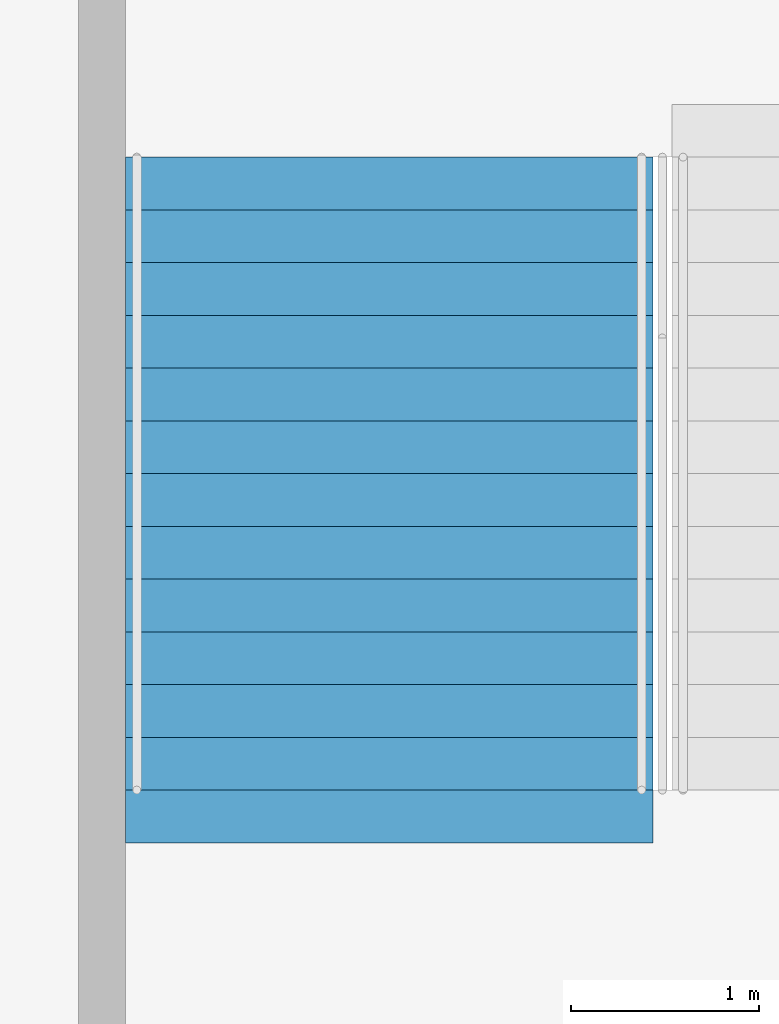
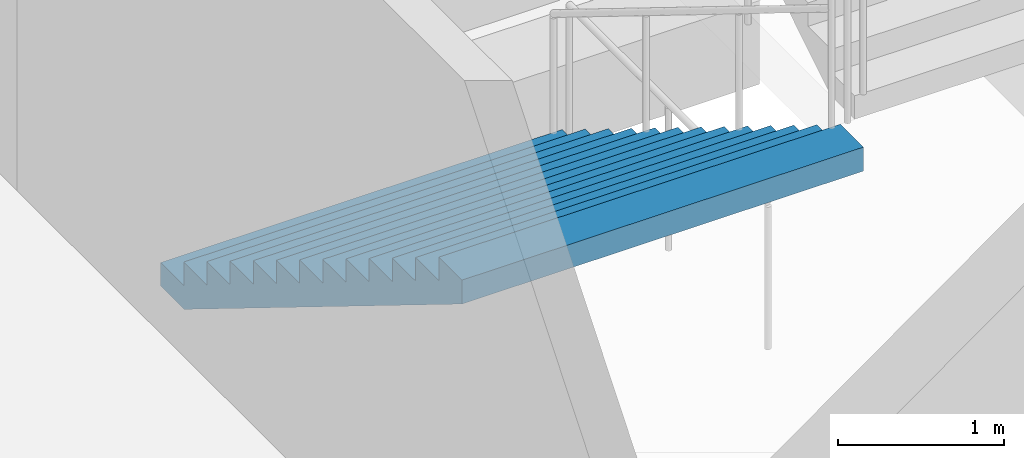
# One storey, part 111 of 199: 1 stair flight, 1 element without a shape of its own.
"""IFC4 building model written with IfcOpenShell, lengths in metres."""

import ifcopenshell
import ifcopenshell.guid

model = None  # the IFC model being written
_history = None  # IfcOwnerHistory: only IFC2X3 demands one
_inside = {}  # id of a spatial element -> (the spatial element, [elements in it])
_under = {}  # id of a project, library or spatial element -> (it, [spatial elements below it])
_declared = {}  # id of a project -> (the project, [libraries it declares])
_typed = {}  # id of a type object -> (the type object, [elements of that type])
_made_of = {}  # id of a material, layer set ... -> (it, [elements and type objects made of it])


def new_model(schema):
    """Start an empty IFC model of exactly this schema.

    Asked for "IFC4X3", IfcOpenShell would pick the latest addendum, in which some entities
    have other attributes; the version numbers below select the first issue.
    IFC2X3 requires an IfcOwnerHistory on every rooted entity: one is made here for all.
    """
    global model, _history
    if schema == "IFC4X3":
        model = ifcopenshell.file(schema_version=(4, 3, 0, 0))
    else:
        model = ifcopenshell.file(schema=schema)
    _inside.clear()
    _under.clear()
    _declared.clear()
    _typed.clear()
    _made_of.clear()
    _history = None
    if model.schema == "IFC2X3":
        org = make("IfcOrganization", Name="unknown")
        user = make(
            "IfcPersonAndOrganization",
            ThePerson=make("IfcPerson", FamilyName="unknown"),
            TheOrganization=org,
        )
        app = make(
            "IfcApplication",
            ApplicationDeveloper=org,
            Version="unknown",
            ApplicationFullName="unknown",
            ApplicationIdentifier="unknown",
        )
        _history = make(
            "IfcOwnerHistory",
            OwningUser=user,
            OwningApplication=app,
            ChangeAction="ADDED",
            CreationDate=0,
        )
    return model


def make(cls, **values):
    """One entity of the class cls with the attributes given. An attribute that is None is left unset."""
    return model.create_entity(
        cls, **{name: value for name, value in values.items() if value is not None}
    )


def rooted(cls, **values):
    """An entity with a GlobalId (a new one), such as an element, a storey or a relation."""
    return make(cls, GlobalId=ifcopenshell.guid.new(), OwnerHistory=_history, **values)


def si_unit(unit_type, name, prefix=None):
    """IfcSIUnit, for example si_unit("LENGTHUNIT", "METRE", prefix="MILLI")."""
    return make("IfcSIUnit", UnitType=unit_type, Prefix=prefix, Name=name)


def assignment(units):
    """IfcUnitAssignment: the units of a project."""
    return None if units is None else make("IfcUnitAssignment", Units=units)


def point(xyz):
    """IfcCartesianPoint."""
    return None if xyz is None else make("IfcCartesianPoint", Coordinates=xyz)


def direction(xyz):
    """IfcDirection."""
    return None if xyz is None else make("IfcDirection", DirectionRatios=xyz)


def frame(location, z_axis=None, x_axis=None):
    """IfcAxis2Placement3D, a coordinate frame: its origin and axes. An axis left out is left unset."""
    return make(
        "IfcAxis2Placement3D",
        Location=point(location),
        Axis=direction(z_axis),
        RefDirection=direction(x_axis),
    )


def origin():
    """The frame at (0, 0, 0) with its axes left unset."""
    return frame((0.0, 0.0, 0.0))


def place(relative_to, where):
    """IfcLocalPlacement: puts the frame where relative to a parent placement (None: the world)."""
    return make(
        "IfcLocalPlacement", PlacementRelTo=relative_to, RelativePlacement=where
    )


def context(
    kind, dimensions, precision=None, world=None, true_north=None, identifier=None
):
    """IfcGeometricRepresentationContext, for example the 3D "Model" context."""
    return make(
        "IfcGeometricRepresentationContext",
        ContextIdentifier=identifier,
        ContextType=kind,
        CoordinateSpaceDimension=dimensions,
        Precision=precision,
        WorldCoordinateSystem=world,
        TrueNorth=true_north,
    )


def subcontext(parent, identifier, kind, view, scale=None):
    """IfcGeometricRepresentationSubContext, for example "Body" below "Model"."""
    return make(
        "IfcGeometricRepresentationSubContext",
        ContextIdentifier=identifier,
        ContextType=kind,
        ParentContext=parent,
        TargetScale=scale,
        TargetView=view,
    )


def project(units=None, contexts=None):
    """IfcProject with its units and contexts."""
    return rooted(
        "IfcProject",
        Name="project",
        RepresentationContexts=contexts,
        UnitsInContext=assignment(units),
    )


def spatial(cls, under=None, at=None, **own):
    """A site, building, storey or space (cls), placed at a placement, below another one or the project."""
    s = rooted(cls, ObjectPlacement=at, **own)
    if under is not None:
        _under.setdefault(under.id(), (under, []))[1].append(s)
    return s


def faces_of(points, faces, orient=None, outer=None):
    """IfcFace entities. A face is a list of loops; a loop is a list of indices into points, from 0.

    orient and outer hold one flag for each loop. By default every Orientation is true, the
    first loop of a face is its IfcFaceOuterBound and the others are IfcFaceBound.
    """
    made = []
    for i, loops in enumerate(faces):
        bounds = []
        for j, loop in enumerate(loops):
            is_outer = j == 0 if outer is None else outer[i][j]
            bounds.append(
                make(
                    "IfcFaceOuterBound" if is_outer else "IfcFaceBound",
                    Bound=make("IfcPolyLoop", Polygon=[points[k] for k in loop]),
                    Orientation=True if orient is None else orient[i][j],
                )
            )
        made.append(make("IfcFace", Bounds=bounds))
    return made


def faceted_brep(points, faces, orient=None, outer=None, voids=None):
    """IfcFacetedBrep: a solid bounded by flat faces; with voids (closed shells), ...WithVoids."""
    shared = [point(p) for p in points]
    hull = make("IfcClosedShell", CfsFaces=faces_of(shared, faces, orient, outer))
    if voids is None:
        return make("IfcFacetedBrep", Outer=hull)
    return make(
        "IfcFacetedBrepWithVoids",
        Outer=hull,
        Voids=[
            make(cls, CfsFaces=faces_of(shared, fs, o, b)) for cls, fs, o, b in voids
        ],
    )


def shape(context_of_items, identifier, shape_type, items):
    """IfcShapeRepresentation: the items that make up one representation, for example the "Body"."""
    return make(
        "IfcShapeRepresentation",
        ContextOfItems=context_of_items,
        RepresentationIdentifier=identifier,
        RepresentationType=shape_type,
        Items=items,
    )


def material(Name=None, Category=None):
    """IfcMaterial."""
    return make("IfcMaterial", Name=Name, Category=Category)


def made_of(thing, what):
    """Note that an element or type object is made of a material, layer set ...; save() writes the relation."""
    if what is not None:
        _made_of.setdefault(what.id(), (what, []))[1].append(thing)
    return thing


def type_object(cls, material=None, **own):
    """A type object (cls), such as IfcWallType, which elements share."""
    return made_of(rooted(cls, **own), material)


def element(
    cls,
    number,
    at=None,
    inside=None,
    cuts=None,
    type_object=None,
    material=None,
    context=None,
    identifier="Body",
    shape_type=None,
    held_by="IfcProductDefinitionShape",
    body=None,
    shapes=None,
    **own,
):
    """One element of the class cls, such as IfcWall. Its Tag is "e" and its number.

    at: its placement. inside: the storey or other place that contains it. cuts: it is an
    opening in that element (IfcRelVoidsElement). A single representation is given by context,
    identifier, shape_type and body (its items); several are given by shapes. held_by: the class
    of the entity that holds the representations. save() writes the other relations.
    """
    e = rooted(cls, Tag="e%d" % number, ObjectPlacement=at, **own)
    if body is not None:
        shapes = [shape(context, identifier, shape_type, body)]
    if shapes is not None:
        e.Representation = make(held_by, Representations=shapes)
    if inside is not None:
        _inside.setdefault(inside.id(), (inside, []))[1].append(e)
    if cuts is not None:
        rooted(
            "IfcRelVoidsElement", RelatingBuildingElement=cuts, RelatedOpeningElement=e
        )
    if type_object is not None:
        _typed.setdefault(type_object.id(), (type_object, []))[1].append(e)
    return made_of(e, material)


def aggregate(whole, parts):
    """IfcRelAggregates: a whole, such as a stair, and the parts it consists of."""
    return rooted("IfcRelAggregates", RelatingObject=whole, RelatedObjects=parts)


def save(model, path):
    """Write the relations noted so far, then the file.

    IfcRelAggregates (storeys below a building ...), IfcRelContainedInSpatialStructure (elements
    in a storey), IfcRelDefinesByType, IfcRelAssociatesMaterial and IfcRelDeclares: one each for
    every whole, place, type object, material and project.
    """
    for whole, parts in _under.values():
        aggregate(whole, parts)
    for where, things in _inside.values():
        rooted(
            "IfcRelContainedInSpatialStructure",
            RelatedElements=things,
            RelatingStructure=where,
        )
    for kind, things in _typed.values():
        rooted("IfcRelDefinesByType", RelatedObjects=things, RelatingType=kind)
    for what, things in _made_of.values():
        rooted("IfcRelAssociatesMaterial", RelatedObjects=things, RelatingMaterial=what)
    for by, libraries in _declared.values():
        rooted("IfcRelDeclares", RelatingContext=by, RelatedDefinitions=libraries)
    model.write(path)


model = new_model("IFC4")

# Units and contexts
model_context = context("Model", 3, precision=1e-05, world=origin(), true_north=direction((0.0, 1.0)))
body_context = subcontext(model_context, "Body", "Model", "MODEL_VIEW")
ifc_project = project(units=[si_unit("LENGTHUNIT", "METRE"), si_unit("AREAUNIT", "SQUARE_METRE"), si_unit("VOLUMEUNIT", "CUBIC_METRE"), si_unit("PLANEANGLEUNIT", "RADIAN"), si_unit("MASSUNIT", "GRAM", prefix="KILO")], contexts=[model_context])

# Site, building, storey
site_placement = place(None, origin())
site = spatial("IfcSite", under=ifc_project, at=site_placement, CompositionType="ELEMENT")
building_placement = place(site_placement, origin())
building = spatial("IfcBuilding", under=site, at=building_placement, Name="Ogive Plaza Stadium", CompositionType="ELEMENT")
storey_placement = place(building_placement, frame((0.0, 0.0, 4.5)))
storey = spatial("IfcBuildingStorey", under=building, at=storey_placement, Name="L01", CompositionType="ELEMENT", Elevation=4.5)

# Stair, stair flight
ifc_material_1 = material(Name="Concrete C40/50", Category="concrete")
stair_type = type_object("IfcStairType", Name="Exit stair", PredefinedType="STRAIGHT_RUN_STAIR", material=ifc_material_1)
stair_placement = place(storey_placement, origin())
stair = element("IfcStair", 1, at=stair_placement, inside=storey, type_object=stair_type, Name="Exit stair ST16A L01 to L02", PredefinedType="STRAIGHT_RUN_STAIR")
ifc_material_2 = material(Name="Concrete C40/50", Category="concrete")
stair_flight_type = type_object("IfcStairFlightType", Name="Exit stair flight", PredefinedType="STRAIGHT", material=ifc_material_2)
stair_flight_placement = place(storey_placement, frame((-24.824951171875, -94.85009765625, 0.0), z_axis=(0.0, 0.0, 1.0), x_axis=(0.0, -1.0, 0.0)))
stair_flight = element("IfcStairFlight", 2, at=stair_flight_placement, type_object=stair_flight_type, Name="ST16A flight 1", NumberOfRisers=13, NumberOfTreads=12, PredefinedType="STRAIGHT", RiserHeight=0.173076923, TreadLength=0.28, context=body_context, shape_type="Brep", body=[
    faceted_brep([(0.28515625, -1.39990234375, 0.0), (3.639892578125, -1.39990234375, 2.07373046875), (3.639892578125, -1.39990234375, 2.25), (3.360107421875, -1.39990234375, 2.25), (3.360107421875, -1.39990234375, 2.076904296875), (3.080078125, -1.39990234375, 2.076904296875), (3.080078125, -1.39990234375, 1.90380859375), (2.800048828125, -1.39990234375, 1.90380859375), (2.800048828125, -1.39990234375, 1.730712890625), (2.52001953125, -1.39990234375, 1.730712890625), (2.52001953125, -1.39990234375, 1.5576171875), (2.239990234375, -1.39990234375, 1.5576171875), (2.239990234375, -1.39990234375, 1.384521484375), (1.9599609375, -1.39990234375, 1.384521484375), (1.9599609375, -1.39990234375, 1.21142578125), (1.679931640625, -1.39990234375, 1.21142578125), (1.679931640625, -1.39990234375, 1.03857421875), (1.39990234375, -1.39990234375, 1.03857421875), (1.39990234375, -1.39990234375, 0.865478515625), (1.1201171875, -1.39990234375, 0.865478515625), (1.1201171875, -1.39990234375, 0.6923828125), (0.840087890625, -1.39990234375, 0.6923828125), (0.840087890625, -1.39990234375, 0.519287109375), (0.56005859375, -1.39990234375, 0.519287109375), (0.56005859375, -1.39990234375, 0.34619140625), (0.280029296875, -1.39990234375, 0.34619140625), (0.280029296875, -1.39990234375, 0.173095703125), (0.0, -1.39990234375, 0.173095703125), (0.0, -1.39990234375, 0.0), (0.0, 1.39990234375, 0.0), (0.0, 1.39990234375, 0.173095703125), (0.280029296875, 1.39990234375, 0.173095703125), (0.280029296875, 1.39990234375, 0.34619140625), (0.56005859375, 1.39990234375, 0.34619140625), (0.56005859375, 1.39990234375, 0.519287109375), (0.840087890625, 1.39990234375, 0.519287109375), (0.840087890625, 1.39990234375, 0.6923828125), (1.1201171875, 1.39990234375, 0.6923828125), (1.1201171875, 1.39990234375, 0.865478515625), (1.39990234375, 1.39990234375, 0.865478515625), (1.39990234375, 1.39990234375, 1.03857421875), (1.679931640625, 1.39990234375, 1.03857421875), (1.679931640625, 1.39990234375, 1.21142578125), (1.9599609375, 1.39990234375, 1.21142578125), (1.9599609375, 1.39990234375, 1.384521484375), (2.239990234375, 1.39990234375, 1.384521484375), (2.239990234375, 1.39990234375, 1.5576171875), (2.52001953125, 1.39990234375, 1.5576171875), (2.52001953125, 1.39990234375, 1.730712890625), (2.800048828125, 1.39990234375, 1.730712890625), (2.800048828125, 1.39990234375, 1.90380859375), (3.080078125, 1.39990234375, 1.90380859375), (3.080078125, 1.39990234375, 2.076904296875), (3.360107421875, 1.39990234375, 2.076904296875), (3.360107421875, 1.39990234375, 2.25), (3.639892578125, 1.39990234375, 2.25), (3.639892578125, 1.39990234375, 2.07373046875), (0.28515625, 1.39990234375, 0.0), (0.28515625, -1.0888671875, 0.0), (3.639892578125, -1.0888671875, 2.07373046875), (0.28515625, -0.77783203125, 0.0), (3.639892578125, -0.77783203125, 2.07373046875), (0.28515625, -0.466796875, 0.0), (3.639892578125, -0.466796875, 2.07373046875), (0.28515625, -0.155517578125, 0.0), (3.639892578125, -0.155517578125, 2.07373046875), (0.28515625, 0.155517578125, 0.0), (3.639892578125, 0.155517578125, 2.07373046875), (0.28515625, 0.466796875, 0.0), (3.639892578125, 0.466796875, 2.07373046875), (0.28515625, 0.77783203125, 0.0), (3.639892578125, 0.77783203125, 2.07373046875), (0.28515625, 1.0888671875, 0.0), (3.639892578125, 1.0888671875, 2.07373046875), (3.639892578125, -1.0888671875, 2.25), (3.639892578125, -0.77783203125, 2.25), (3.639892578125, -0.466796875, 2.25), (3.639892578125, -0.155517578125, 2.25), (3.639892578125, 0.155517578125, 2.25), (3.639892578125, 0.466796875, 2.25), (3.639892578125, 0.77783203125, 2.25), (3.639892578125, 1.0888671875, 2.25), (3.360107421875, -1.0888671875, 2.25), (3.360107421875, -0.77783203125, 2.25), (3.360107421875, -0.466796875, 2.25), (3.360107421875, -0.155517578125, 2.25), (3.360107421875, 0.155517578125, 2.25), (3.360107421875, 0.466796875, 2.25), (3.360107421875, 0.77783203125, 2.25), (3.360107421875, 1.0888671875, 2.25), (3.360107421875, -1.0888671875, 2.076904296875), (3.360107421875, -0.77783203125, 2.076904296875), (3.360107421875, -0.466796875, 2.076904296875), (3.360107421875, -0.155517578125, 2.076904296875), (3.360107421875, 0.155517578125, 2.076904296875), (3.360107421875, 0.466796875, 2.076904296875), (3.360107421875, 0.77783203125, 2.076904296875), (3.360107421875, 1.0888671875, 2.076904296875), (3.080078125, -1.0888671875, 2.076904296875), (3.080078125, -0.77783203125, 2.076904296875), (3.080078125, -0.466796875, 2.076904296875), (3.080078125, -0.155517578125, 2.076904296875), (3.080078125, 0.155517578125, 2.076904296875), (3.080078125, 0.466796875, 2.076904296875), (3.080078125, 0.77783203125, 2.076904296875), (3.080078125, 1.0888671875, 2.076904296875), (3.080078125, -1.0888671875, 1.90380859375), (3.080078125, -0.77783203125, 1.90380859375), (3.080078125, -0.466796875, 1.90380859375), (3.080078125, -0.155517578125, 1.90380859375), (3.080078125, 0.155517578125, 1.90380859375), (3.080078125, 0.466796875, 1.90380859375), (3.080078125, 0.77783203125, 1.90380859375), (3.080078125, 1.0888671875, 1.90380859375), (2.800048828125, -1.0888671875, 1.90380859375), (2.800048828125, -0.77783203125, 1.90380859375), (2.800048828125, -0.466796875, 1.90380859375), (2.800048828125, -0.155517578125, 1.90380859375), (2.800048828125, 0.155517578125, 1.90380859375), (2.800048828125, 0.466796875, 1.90380859375), (2.800048828125, 0.77783203125, 1.90380859375), (2.800048828125, 1.0888671875, 1.90380859375), (2.800048828125, -1.0888671875, 1.730712890625), (2.800048828125, -0.77783203125, 1.730712890625), (2.800048828125, -0.466796875, 1.730712890625), (2.800048828125, -0.155517578125, 1.730712890625), (2.800048828125, 0.155517578125, 1.730712890625), (2.800048828125, 0.466796875, 1.730712890625), (2.800048828125, 0.77783203125, 1.730712890625), (2.800048828125, 1.0888671875, 1.730712890625), (2.52001953125, -1.0888671875, 1.730712890625), (2.52001953125, -0.77783203125, 1.730712890625), (2.52001953125, -0.466796875, 1.730712890625), (2.52001953125, -0.155517578125, 1.730712890625), (2.52001953125, 0.155517578125, 1.730712890625), (2.52001953125, 0.466796875, 1.730712890625), (2.52001953125, 0.77783203125, 1.730712890625), (2.52001953125, 1.0888671875, 1.730712890625), (2.52001953125, -1.0888671875, 1.5576171875), (2.52001953125, -0.77783203125, 1.5576171875), (2.52001953125, -0.466796875, 1.5576171875), (2.52001953125, -0.155517578125, 1.5576171875), (2.52001953125, 0.155517578125, 1.5576171875), (2.52001953125, 0.466796875, 1.5576171875), (2.52001953125, 0.77783203125, 1.5576171875), (2.52001953125, 1.0888671875, 1.5576171875), (2.239990234375, -1.0888671875, 1.5576171875), (2.239990234375, -0.77783203125, 1.5576171875), (2.239990234375, -0.466796875, 1.5576171875), (2.239990234375, -0.155517578125, 1.5576171875), (2.239990234375, 0.155517578125, 1.5576171875), (2.239990234375, 0.466796875, 1.5576171875), (2.239990234375, 0.77783203125, 1.5576171875), (2.239990234375, 1.0888671875, 1.5576171875), (2.239990234375, -1.0888671875, 1.384521484375), (2.239990234375, -0.77783203125, 1.384521484375), (2.239990234375, -0.466796875, 1.384521484375), (2.239990234375, -0.155517578125, 1.384521484375), (2.239990234375, 0.155517578125, 1.384521484375), (2.239990234375, 0.466796875, 1.384521484375), (2.239990234375, 0.77783203125, 1.384521484375), (2.239990234375, 1.0888671875, 1.384521484375), (1.9599609375, -1.0888671875, 1.384521484375), (1.9599609375, -0.77783203125, 1.384521484375), (1.9599609375, -0.466796875, 1.384521484375), (1.9599609375, -0.155517578125, 1.384521484375), (1.9599609375, 0.155517578125, 1.384521484375), (1.9599609375, 0.466796875, 1.384521484375), (1.9599609375, 0.77783203125, 1.384521484375), (1.9599609375, 1.0888671875, 1.384521484375), (1.9599609375, -1.0888671875, 1.21142578125), (1.9599609375, -0.77783203125, 1.21142578125), (1.9599609375, -0.466796875, 1.21142578125), (1.9599609375, -0.155517578125, 1.21142578125), (1.9599609375, 0.155517578125, 1.21142578125), (1.9599609375, 0.466796875, 1.21142578125), (1.9599609375, 0.77783203125, 1.21142578125), (1.9599609375, 1.0888671875, 1.21142578125), (1.679931640625, -1.0888671875, 1.21142578125), (1.679931640625, -0.77783203125, 1.21142578125), (1.679931640625, -0.466796875, 1.21142578125), (1.679931640625, -0.155517578125, 1.21142578125), (1.679931640625, 0.155517578125, 1.21142578125), (1.679931640625, 0.466796875, 1.21142578125), (1.679931640625, 0.77783203125, 1.21142578125), (1.679931640625, 1.0888671875, 1.21142578125), (1.679931640625, -1.0888671875, 1.03857421875), (1.679931640625, -0.77783203125, 1.03857421875), (1.679931640625, -0.466796875, 1.03857421875), (1.679931640625, -0.155517578125, 1.03857421875), (1.679931640625, 0.155517578125, 1.03857421875), (1.679931640625, 0.466796875, 1.03857421875), (1.679931640625, 0.77783203125, 1.03857421875), (1.679931640625, 1.0888671875, 1.03857421875), (1.39990234375, -1.0888671875, 1.03857421875), (1.39990234375, -0.77783203125, 1.03857421875), (1.39990234375, -0.466796875, 1.03857421875), (1.39990234375, -0.155517578125, 1.03857421875), (1.39990234375, 0.155517578125, 1.03857421875), (1.39990234375, 0.466796875, 1.03857421875), (1.39990234375, 0.77783203125, 1.03857421875), (1.39990234375, 1.0888671875, 1.03857421875), (1.39990234375, -1.0888671875, 0.865478515625), (1.39990234375, -0.77783203125, 0.865478515625), (1.39990234375, -0.466796875, 0.865478515625), (1.39990234375, -0.155517578125, 0.865478515625), (1.39990234375, 0.155517578125, 0.865478515625), (1.39990234375, 0.466796875, 0.865478515625), (1.39990234375, 0.77783203125, 0.865478515625), (1.39990234375, 1.0888671875, 0.865478515625), (1.1201171875, -1.0888671875, 0.865478515625), (1.1201171875, -0.77783203125, 0.865478515625), (1.1201171875, -0.466796875, 0.865478515625), (1.1201171875, -0.155517578125, 0.865478515625), (1.1201171875, 0.155517578125, 0.865478515625), (1.1201171875, 0.466796875, 0.865478515625), (1.1201171875, 0.77783203125, 0.865478515625), (1.1201171875, 1.0888671875, 0.865478515625), (1.1201171875, -1.0888671875, 0.6923828125), (1.1201171875, -0.77783203125, 0.6923828125), (1.1201171875, -0.466796875, 0.6923828125), (1.1201171875, -0.155517578125, 0.6923828125), (1.1201171875, 0.155517578125, 0.6923828125), (1.1201171875, 0.466796875, 0.6923828125), (1.1201171875, 0.77783203125, 0.6923828125), (1.1201171875, 1.0888671875, 0.6923828125), (0.840087890625, -1.0888671875, 0.6923828125), (0.840087890625, -0.77783203125, 0.6923828125), (0.840087890625, -0.466796875, 0.6923828125), (0.840087890625, -0.155517578125, 0.6923828125), (0.840087890625, 0.155517578125, 0.6923828125), (0.840087890625, 0.466796875, 0.6923828125), (0.840087890625, 0.77783203125, 0.6923828125), (0.840087890625, 1.0888671875, 0.6923828125), (0.840087890625, -1.0888671875, 0.519287109375), (0.840087890625, -0.77783203125, 0.519287109375), (0.840087890625, -0.466796875, 0.519287109375), (0.840087890625, -0.155517578125, 0.519287109375), (0.840087890625, 0.155517578125, 0.519287109375), (0.840087890625, 0.466796875, 0.519287109375), (0.840087890625, 0.77783203125, 0.519287109375), (0.840087890625, 1.0888671875, 0.519287109375), (0.56005859375, -1.0888671875, 0.519287109375), (0.56005859375, -0.77783203125, 0.519287109375), (0.56005859375, -0.466796875, 0.519287109375), (0.56005859375, -0.155517578125, 0.519287109375), (0.56005859375, 0.155517578125, 0.519287109375), (0.56005859375, 0.466796875, 0.519287109375), (0.56005859375, 0.77783203125, 0.519287109375), (0.56005859375, 1.0888671875, 0.519287109375), (0.56005859375, -1.0888671875, 0.34619140625), (0.56005859375, -0.77783203125, 0.34619140625), (0.56005859375, -0.466796875, 0.34619140625), (0.56005859375, -0.155517578125, 0.34619140625), (0.56005859375, 0.155517578125, 0.34619140625), (0.56005859375, 0.466796875, 0.34619140625), (0.56005859375, 0.77783203125, 0.34619140625), (0.56005859375, 1.0888671875, 0.34619140625), (0.280029296875, -1.0888671875, 0.34619140625), (0.280029296875, -0.77783203125, 0.34619140625), (0.280029296875, -0.466796875, 0.34619140625), (0.280029296875, -0.155517578125, 0.34619140625), (0.280029296875, 0.155517578125, 0.34619140625), (0.280029296875, 0.466796875, 0.34619140625), (0.280029296875, 0.77783203125, 0.34619140625), (0.280029296875, 1.0888671875, 0.34619140625), (0.280029296875, -1.0888671875, 0.173095703125), (0.280029296875, -0.77783203125, 0.173095703125), (0.280029296875, -0.466796875, 0.173095703125), (0.280029296875, -0.155517578125, 0.173095703125), (0.280029296875, 0.155517578125, 0.173095703125), (0.280029296875, 0.466796875, 0.173095703125), (0.280029296875, 0.77783203125, 0.173095703125), (0.280029296875, 1.0888671875, 0.173095703125), (0.0, -1.0888671875, 0.173095703125), (0.0, -0.77783203125, 0.173095703125), (0.0, -0.466796875, 0.173095703125), (0.0, -0.155517578125, 0.173095703125), (0.0, 0.155517578125, 0.173095703125), (0.0, 0.466796875, 0.173095703125), (0.0, 0.77783203125, 0.173095703125), (0.0, 1.0888671875, 0.173095703125), (0.0, -1.0888671875, 0.0), (0.0, -0.77783203125, 0.0), (0.0, -0.466796875, 0.0), (0.0, -0.155517578125, 0.0), (0.0, 0.155517578125, 0.0), (0.0, 0.466796875, 0.0), (0.0, 0.77783203125, 0.0), (0.0, 1.0888671875, 0.0)], [[[0, 1, 2, 3, 4, 5, 6, 7, 8, 9, 10, 11, 12, 13, 14, 15, 16, 17, 18, 19, 20, 21, 22, 23, 24, 25, 26, 27, 28]], [[29, 30, 31, 32, 33, 34, 35, 36, 37, 38, 39, 40, 41, 42, 43, 44, 45, 46, 47, 48, 49, 50, 51, 52, 53, 54, 55, 56, 57]], [[0, 58, 59, 1]], [[58, 60, 61, 59]], [[60, 62, 63, 61]], [[62, 64, 65, 63]], [[64, 66, 67, 65]], [[66, 68, 69, 67]], [[68, 70, 71, 69]], [[70, 72, 73, 71]], [[72, 57, 56, 73]], [[1, 59, 74, 2]], [[59, 61, 75, 74]], [[61, 63, 76, 75]], [[63, 65, 77, 76]], [[65, 67, 78, 77]], [[67, 69, 79, 78]], [[69, 71, 80, 79]], [[71, 73, 81, 80]], [[73, 56, 55, 81]], [[2, 74, 82, 3]], [[74, 75, 83, 82]], [[75, 76, 84, 83]], [[76, 77, 85, 84]], [[77, 78, 86, 85]], [[78, 79, 87, 86]], [[79, 80, 88, 87]], [[80, 81, 89, 88]], [[81, 55, 54, 89]], [[3, 82, 90, 4]], [[82, 83, 91, 90]], [[83, 84, 92, 91]], [[84, 85, 93, 92]], [[85, 86, 94, 93]], [[86, 87, 95, 94]], [[87, 88, 96, 95]], [[88, 89, 97, 96]], [[89, 54, 53, 97]], [[4, 90, 98, 5]], [[90, 91, 99, 98]], [[91, 92, 100, 99]], [[92, 93, 101, 100]], [[93, 94, 102, 101]], [[94, 95, 103, 102]], [[95, 96, 104, 103]], [[96, 97, 105, 104]], [[97, 53, 52, 105]], [[5, 98, 106, 6]], [[98, 99, 107, 106]], [[99, 100, 108, 107]], [[100, 101, 109, 108]], [[101, 102, 110, 109]], [[102, 103, 111, 110]], [[103, 104, 112, 111]], [[104, 105, 113, 112]], [[105, 52, 51, 113]], [[6, 106, 114, 7]], [[106, 107, 115, 114]], [[107, 108, 116, 115]], [[108, 109, 117, 116]], [[109, 110, 118, 117]], [[110, 111, 119, 118]], [[111, 112, 120, 119]], [[112, 113, 121, 120]], [[113, 51, 50, 121]], [[7, 114, 122, 8]], [[114, 115, 123, 122]], [[115, 116, 124, 123]], [[116, 117, 125, 124]], [[117, 118, 126, 125]], [[118, 119, 127, 126]], [[119, 120, 128, 127]], [[120, 121, 129, 128]], [[121, 50, 49, 129]], [[8, 122, 130, 9]], [[122, 123, 131, 130]], [[123, 124, 132, 131]], [[124, 125, 133, 132]], [[125, 126, 134, 133]], [[126, 127, 135, 134]], [[127, 128, 136, 135]], [[128, 129, 137, 136]], [[129, 49, 48, 137]], [[9, 130, 138, 10]], [[130, 131, 139, 138]], [[131, 132, 140, 139]], [[132, 133, 141, 140]], [[133, 134, 142, 141]], [[134, 135, 143, 142]], [[135, 136, 144, 143]], [[136, 137, 145, 144]], [[137, 48, 47, 145]], [[10, 138, 146, 11]], [[138, 139, 147, 146]], [[139, 140, 148, 147]], [[140, 141, 149, 148]], [[141, 142, 150, 149]], [[142, 143, 151, 150]], [[143, 144, 152, 151]], [[144, 145, 153, 152]], [[145, 47, 46, 153]], [[11, 146, 154, 12]], [[146, 147, 155, 154]], [[147, 148, 156, 155]], [[148, 149, 157, 156]], [[149, 150, 158, 157]], [[150, 151, 159, 158]], [[151, 152, 160, 159]], [[152, 153, 161, 160]], [[153, 46, 45, 161]], [[12, 154, 162, 13]], [[154, 155, 163, 162]], [[155, 156, 164, 163]], [[156, 157, 165, 164]], [[157, 158, 166, 165]], [[158, 159, 167, 166]], [[159, 160, 168, 167]], [[160, 161, 169, 168]], [[161, 45, 44, 169]], [[13, 162, 170, 14]], [[162, 163, 171, 170]], [[163, 164, 172, 171]], [[164, 165, 173, 172]], [[165, 166, 174, 173]], [[166, 167, 175, 174]], [[167, 168, 176, 175]], [[168, 169, 177, 176]], [[169, 44, 43, 177]], [[14, 170, 178, 15]], [[170, 171, 179, 178]], [[171, 172, 180, 179]], [[172, 173, 181, 180]], [[173, 174, 182, 181]], [[174, 175, 183, 182]], [[175, 176, 184, 183]], [[176, 177, 185, 184]], [[177, 43, 42, 185]], [[15, 178, 186, 16]], [[178, 179, 187, 186]], [[179, 180, 188, 187]], [[180, 181, 189, 188]], [[181, 182, 190, 189]], [[182, 183, 191, 190]], [[183, 184, 192, 191]], [[184, 185, 193, 192]], [[185, 42, 41, 193]], [[16, 186, 194, 17]], [[186, 187, 195, 194]], [[187, 188, 196, 195]], [[188, 189, 197, 196]], [[189, 190, 198, 197]], [[190, 191, 199, 198]], [[191, 192, 200, 199]], [[192, 193, 201, 200]], [[193, 41, 40, 201]], [[17, 194, 202, 18]], [[194, 195, 203, 202]], [[195, 196, 204, 203]], [[196, 197, 205, 204]], [[197, 198, 206, 205]], [[198, 199, 207, 206]], [[199, 200, 208, 207]], [[200, 201, 209, 208]], [[201, 40, 39, 209]], [[18, 202, 210, 19]], [[202, 203, 211, 210]], [[203, 204, 212, 211]], [[204, 205, 213, 212]], [[205, 206, 214, 213]], [[206, 207, 215, 214]], [[207, 208, 216, 215]], [[208, 209, 217, 216]], [[209, 39, 38, 217]], [[19, 210, 218, 20]], [[210, 211, 219, 218]], [[211, 212, 220, 219]], [[212, 213, 221, 220]], [[213, 214, 222, 221]], [[214, 215, 223, 222]], [[215, 216, 224, 223]], [[216, 217, 225, 224]], [[217, 38, 37, 225]], [[20, 218, 226, 21]], [[218, 219, 227, 226]], [[219, 220, 228, 227]], [[220, 221, 229, 228]], [[221, 222, 230, 229]], [[222, 223, 231, 230]], [[223, 224, 232, 231]], [[224, 225, 233, 232]], [[225, 37, 36, 233]], [[21, 226, 234, 22]], [[226, 227, 235, 234]], [[227, 228, 236, 235]], [[228, 229, 237, 236]], [[229, 230, 238, 237]], [[230, 231, 239, 238]], [[231, 232, 240, 239]], [[232, 233, 241, 240]], [[233, 36, 35, 241]], [[22, 234, 242, 23]], [[234, 235, 243, 242]], [[235, 236, 244, 243]], [[236, 237, 245, 244]], [[237, 238, 246, 245]], [[238, 239, 247, 246]], [[239, 240, 248, 247]], [[240, 241, 249, 248]], [[241, 35, 34, 249]], [[23, 242, 250, 24]], [[242, 243, 251, 250]], [[243, 244, 252, 251]], [[244, 245, 253, 252]], [[245, 246, 254, 253]], [[246, 247, 255, 254]], [[247, 248, 256, 255]], [[248, 249, 257, 256]], [[249, 34, 33, 257]], [[24, 250, 258, 25]], [[250, 251, 259, 258]], [[251, 252, 260, 259]], [[252, 253, 261, 260]], [[253, 254, 262, 261]], [[254, 255, 263, 262]], [[255, 256, 264, 263]], [[256, 257, 265, 264]], [[257, 33, 32, 265]], [[25, 258, 266, 26]], [[258, 259, 267, 266]], [[259, 260, 268, 267]], [[260, 261, 269, 268]], [[261, 262, 270, 269]], [[262, 263, 271, 270]], [[263, 264, 272, 271]], [[264, 265, 273, 272]], [[265, 32, 31, 273]], [[26, 266, 274, 27]], [[266, 267, 275, 274]], [[267, 268, 276, 275]], [[268, 269, 277, 276]], [[269, 270, 278, 277]], [[270, 271, 279, 278]], [[271, 272, 280, 279]], [[272, 273, 281, 280]], [[273, 31, 30, 281]], [[27, 274, 282, 28]], [[274, 275, 283, 282]], [[275, 276, 284, 283]], [[276, 277, 285, 284]], [[277, 278, 286, 285]], [[278, 279, 287, 286]], [[279, 280, 288, 287]], [[280, 281, 289, 288]], [[281, 30, 29, 289]], [[28, 282, 58, 0]], [[282, 283, 60, 58]], [[283, 284, 62, 60]], [[284, 285, 64, 62]], [[285, 286, 66, 64]], [[286, 287, 68, 66]], [[287, 288, 70, 68]], [[288, 289, 72, 70]], [[289, 29, 57, 72]]]),
])
aggregate(stair, [stair_flight])

save(model, "model.ifc")
